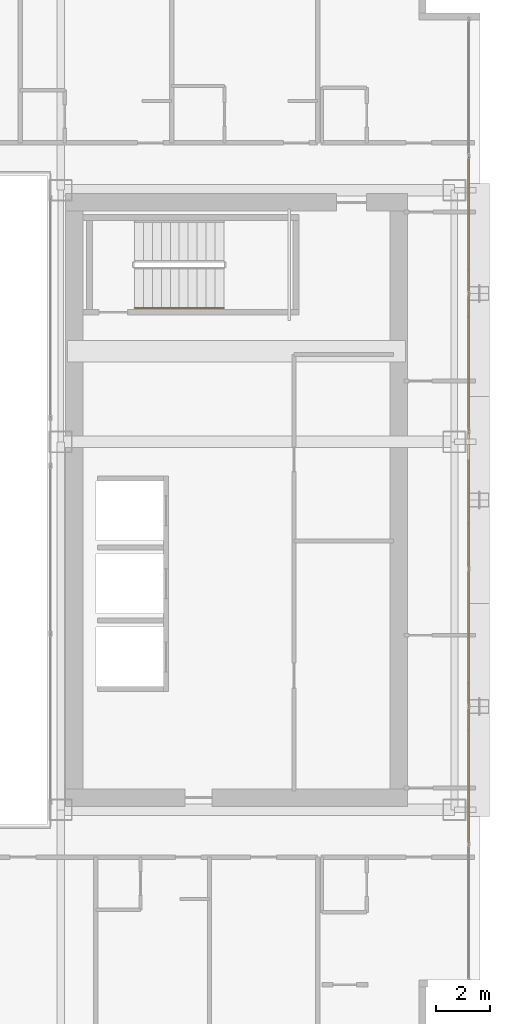
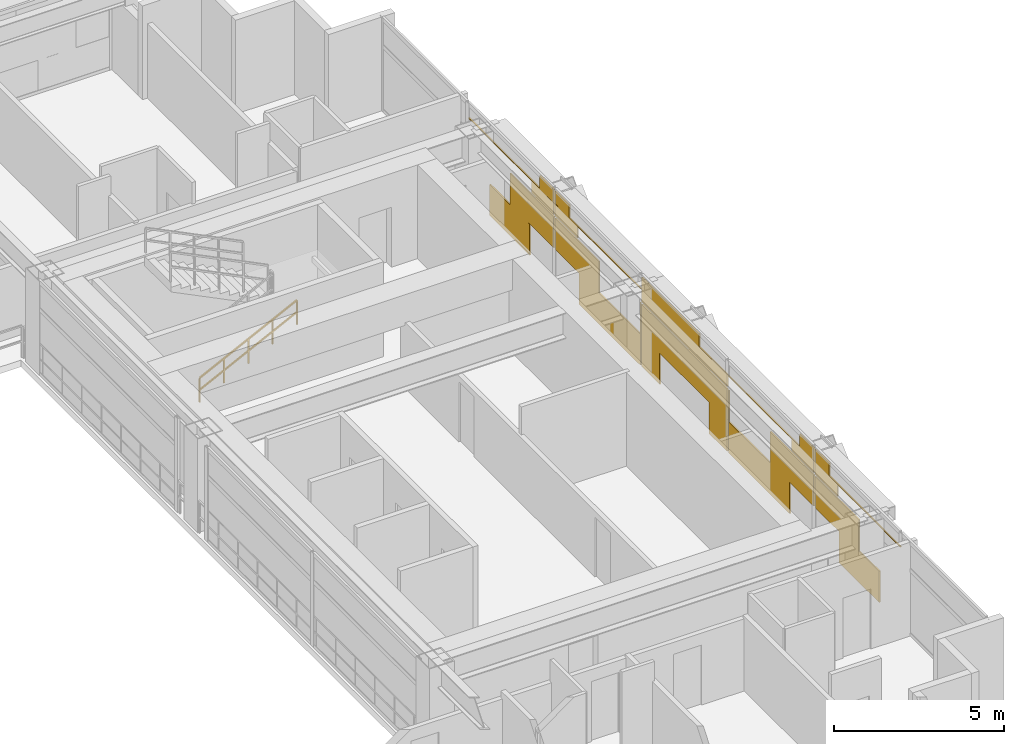
# One storey, part 38 of 39: 1 covering, 1 railing.
"""IFC4 building model written with IfcOpenShell, lengths in metres."""

from ifc_helpers import new_model, si_unit, direction, frame, origin, origin_2d, place, context, subcontext, project, spatial, rectangle, extrude, material, layer, layer_set, type_object, element, save


model = new_model("IFC4")

# Units and contexts
model_context = context("Model", 3, precision=1e-05, world=origin(), true_north=direction((0.0, 1.0)))
body_context = subcontext(model_context, "Body", "Model", "MODEL_VIEW")
ifc_project = project(units=[si_unit("LENGTHUNIT", "METRE"), si_unit("AREAUNIT", "SQUARE_METRE"), si_unit("VOLUMEUNIT", "CUBIC_METRE"), si_unit("PLANEANGLEUNIT", "RADIAN"), si_unit("MASSUNIT", "GRAM", prefix="KILO")], contexts=[model_context])

# Site, building, storey
site_placement = place(None, origin())
site = spatial("IfcSite", under=ifc_project, at=site_placement, CompositionType="ELEMENT")
building_placement = place(site_placement, origin())
building = spatial("IfcBuilding", under=site, at=building_placement, Name="Ocotamira Hotel", CompositionType="ELEMENT")
storey_placement = place(building_placement, frame((0.0, 0.0, 126.0)))
storey = spatial("IfcBuildingStorey", under=building, at=storey_placement, Name="L31", CompositionType="ELEMENT", Elevation=126.0)

# Covering
ifc_material_1 = material(Name="Insulated pale-metal aluminium spandrel panel", Category="aluminium")
ifc_layer = layer(ifc_material_1, 0.044921875)
ifc_layer_set = layer_set([ifc_layer], Name="Insulated pale-metal aluminium spandrel panel")
covering_type = type_object("IfcCoveringType", Name="COV-INFILL-45", PredefinedType="CLADDING", material=ifc_layer_set)
covering_placement = place(storey_placement, origin())
element("IfcCovering", 1, at=covering_placement, inside=storey, type_object=covering_type, Name="L31 Curtain Wall Infill CW-3 CW-L31-E", PredefinedType="CLADDING", context=body_context, shape_type="SweptSolid", body=[
    extrude(rectangle(XDim=2.35107421875, YDim=0.044921875, at=origin_2d()), frame((55.580078125, 15.741943359375, 0.07568359375), z_axis=(0.0, 0.0, 1.0), x_axis=(0.0, 1.0, 0.0)), (0.0, 0.0, 1.0), 1.11767578125),
    extrude(rectangle(XDim=2.578369140625, YDim=0.044921875, at=origin_2d()), frame((55.580078125, 17.041748046875, 1.1943359375), z_axis=(0.0, 0.0, 1.0), x_axis=(0.0, 1.0, 0.0)), (0.0, 0.0, 1.0), 1.117919921875),
    extrude(rectangle(XDim=5.004638671875, YDim=0.044921875, at=origin_2d()), frame((55.580078125, 15.82861328125, 2.802490234375), z_axis=(0.0, 0.0, 1.0), x_axis=(0.0, 1.0, 0.0)), (0.0, 0.0, 1.0), 0.033203125),
    extrude(rectangle(XDim=1.312744140625, YDim=0.044921875, at=origin_2d()), frame((55.580078125, 17.674560546875, 2.38818359375), z_axis=(0.0, 0.0, 1.0), x_axis=(0.0, 1.0, 0.0)), (0.0, 0.0, 1.0), 0.413330078125),
    extrude(rectangle(XDim=0.837158203125, YDim=0.044921875, at=origin_2d()), frame((55.580078125, 17.912353515625, 2.836669921875), z_axis=(0.0, 0.0, 1.0), x_axis=(0.0, 1.0, 0.0)), (0.0, 0.0, 1.0), 0.44775390625),
    extrude(rectangle(XDim=2.568603515625, YDim=0.044921875, at=origin_2d()), frame((55.580078125, 19.6962890625, 1.1943359375), z_axis=(0.0, 0.0, 1.0), x_axis=(0.0, 1.0, 0.0)), (0.0, 0.0, 1.0), 1.117919921875),
    extrude(rectangle(XDim=3.600830078125, YDim=0.044921875, at=origin_2d()), frame((55.580078125, 21.6162109375, 0.07568359375), z_axis=(0.0, 0.0, 1.0), x_axis=(0.0, 1.0, 0.0)), (0.0, 0.0, 1.0), 1.11767578125),
    extrude(rectangle(XDim=0.03076171875, YDim=0.044921875, at=origin_2d()), frame((55.580078125, 23.4013671875, 1.1943359375), z_axis=(0.0, 0.0, 1.0), x_axis=(0.0, 1.0, 0.0)), (0.0, 0.0, 1.0), 1.117919921875),
    extrude(rectangle(XDim=1.302978515625, YDim=0.044921875, at=origin_2d()), frame((55.580078125, 19.0634765625, 2.38818359375), z_axis=(0.0, 0.0, 1.0), x_axis=(0.0, 1.0, 0.0)), (0.0, 0.0, 1.0), 0.413330078125),
    extrude(rectangle(XDim=5.004638671875, YDim=0.044921875, at=origin_2d()), frame((55.580078125, 20.914306640625, 2.802490234375), z_axis=(0.0, 0.0, 1.0), x_axis=(0.0, 1.0, 0.0)), (0.0, 0.0, 1.0), 0.033203125),
    extrude(rectangle(XDim=0.827392578125, YDim=0.044921875, at=origin_2d()), frame((55.580078125, 18.82568359375, 2.836669921875), z_axis=(0.0, 0.0, 1.0), x_axis=(0.0, 1.0, 0.0)), (0.0, 0.0, 1.0), 0.44775390625),
    extrude(rectangle(XDim=1.05322265625, YDim=0.044921875, at=origin_2d()), frame((55.580078125, 24.0244140625, 0.07568359375), z_axis=(0.0, 0.0, 1.0), x_axis=(0.0, 1.0, 0.0)), (0.0, 0.0, 1.0), 1.11767578125),
    extrude(rectangle(XDim=5.004638671875, YDim=0.044921875, at=origin_2d()), frame((55.580078125, 26.0, 1.1943359375), z_axis=(0.0, 0.0, 1.0), x_axis=(0.0, 1.0, 0.0)), (0.0, 0.0, 1.0), 1.117919921875),
    extrude(rectangle(XDim=1.05322265625, YDim=0.044921875, at=origin_2d()), frame((55.580078125, 27.9755859375, 0.07568359375), z_axis=(0.0, 0.0, 1.0), x_axis=(0.0, 1.0, 0.0)), (0.0, 0.0, 1.0), 1.11767578125),
    extrude(rectangle(XDim=5.004638671875, YDim=0.044921875, at=origin_2d()), frame((55.580078125, 26.0, 2.387939453125), z_axis=(0.0, 0.0, 1.0), x_axis=(0.0, 1.0, 0.0)), (0.0, 0.0, 1.0), 0.44775390625),
    extrude(rectangle(XDim=3.375, YDim=0.044921875, at=origin_2d()), frame((55.580078125, 26.814697265625, 2.836669921875), z_axis=(0.0, 0.0, 1.0), x_axis=(0.0, 1.0, 0.0)), (0.0, 0.0, 1.0), 0.44775390625),
    extrude(rectangle(XDim=3.600830078125, YDim=0.044921875, at=origin_2d()), frame((55.580078125, 30.3837890625, 0.07568359375), z_axis=(0.0, 0.0, 1.0), x_axis=(0.0, 1.0, 0.0)), (0.0, 0.0, 1.0), 1.11767578125),
    extrude(rectangle(XDim=0.03076171875, YDim=0.044921875, at=origin_2d()), frame((55.580078125, 28.5986328125, 1.1943359375), z_axis=(0.0, 0.0, 1.0), x_axis=(0.0, 1.0, 0.0)), (0.0, 0.0, 1.0), 1.117919921875),
    extrude(rectangle(XDim=2.568603515625, YDim=0.044921875, at=origin_2d()), frame((55.580078125, 32.3037109375, 1.1943359375), z_axis=(0.0, 0.0, 1.0), x_axis=(0.0, 1.0, 0.0)), (0.0, 0.0, 1.0), 1.117919921875),
    extrude(rectangle(XDim=5.004638671875, YDim=0.044921875, at=origin_2d()), frame((55.580078125, 31.085693359375, 2.802490234375), z_axis=(0.0, 0.0, 1.0), x_axis=(0.0, 1.0, 0.0)), (0.0, 0.0, 1.0), 0.033203125),
    extrude(rectangle(XDim=1.302978515625, YDim=0.044921875, at=origin_2d()), frame((55.580078125, 32.9365234375, 2.38818359375), z_axis=(0.0, 0.0, 1.0), x_axis=(0.0, 1.0, 0.0)), (0.0, 0.0, 1.0), 0.413330078125),
    extrude(rectangle(XDim=0.827392578125, YDim=0.044921875, at=origin_2d()), frame((55.580078125, 33.17431640625, 2.836669921875), z_axis=(0.0, 0.0, 1.0), x_axis=(0.0, 1.0, 0.0)), (0.0, 0.0, 1.0), 0.44775390625),
    extrude(rectangle(XDim=2.578369140625, YDim=0.044921875, at=origin_2d()), frame((55.580078125, 34.958251953125, 1.1943359375), z_axis=(0.0, 0.0, 1.0), x_axis=(0.0, 1.0, 0.0)), (0.0, 0.0, 1.0), 1.117919921875),
    extrude(rectangle(XDim=2.35107421875, YDim=0.044921875, at=origin_2d()), frame((55.580078125, 36.258056640625, 0.07568359375), z_axis=(0.0, 0.0, 1.0), x_axis=(0.0, 1.0, 0.0)), (0.0, 0.0, 1.0), 1.11767578125),
    extrude(rectangle(XDim=1.312744140625, YDim=0.044921875, at=origin_2d()), frame((55.580078125, 34.325439453125, 2.38818359375), z_axis=(0.0, 0.0, 1.0), x_axis=(0.0, 1.0, 0.0)), (0.0, 0.0, 1.0), 0.413330078125),
    extrude(rectangle(XDim=5.004638671875, YDim=0.044921875, at=origin_2d()), frame((55.580078125, 36.17138671875, 2.802490234375), z_axis=(0.0, 0.0, 1.0), x_axis=(0.0, 1.0, 0.0)), (0.0, 0.0, 1.0), 0.033203125),
    extrude(rectangle(XDim=0.837158203125, YDim=0.044921875, at=origin_2d()), frame((55.580078125, 34.087646484375, 2.836669921875), z_axis=(0.0, 0.0, 1.0), x_axis=(0.0, 1.0, 0.0)), (0.0, 0.0, 1.0), 0.44775390625),
])

# Railing
ifc_material_2 = material(Name="Brushed stainless steel handrail", Category="steel")
railing_type = type_object("IfcRailingType", Name="RL-HAND-900", PredefinedType="HANDRAIL", material=ifc_material_2)
railing_placement = place(storey_placement, frame((43.22998046875, 33.10009765625, 0.327392578125)))
element("IfcRailing", 2, at=railing_placement, inside=storey, type_object=railing_type, Name="L31 ST-4 stair handrail 1", PredefinedType="HANDRAIL", context=body_context, shape_type="SweptSolid", body=[
    extrude(rectangle(XDim=0.048095703125, YDim=0.048095703125, at=origin_2d()), frame((0.0, 0.0, 0.8759765625), z_axis=(0.895920123917, 0.0, 0.444215186098), x_axis=(0.0, 1.0, 0.0)), (0.0, 0.0, 1.0), 3.683349609375),
    extrude(rectangle(XDim=0.048095703125, YDim=0.048095703125, at=origin_2d()), frame((0.0, 0.0, 0.449951171875), z_axis=(0.895920123917, 0.0, 0.444215186098), x_axis=(0.0, 1.0, 0.0)), (0.0, 0.0, 1.0), 3.683349609375),
    extrude(rectangle(XDim=0.0419921875, YDim=0.0419921875, at=origin_2d()), origin(), (0.0, 0.0, 1.0), 0.851806640625),
    extrude(rectangle(XDim=0.0419921875, YDim=0.0419921875, at=origin_2d()), frame((0.824951171875, 0.0, 0.4091796875)), (0.0, 0.0, 1.0), 0.851806640625),
    extrude(rectangle(XDim=0.0419921875, YDim=0.0419921875, at=origin_2d()), frame((1.64990234375, 0.0, 0.818115234375)), (0.0, 0.0, 1.0), 0.851806640625),
    extrude(rectangle(XDim=0.0419921875, YDim=0.0419921875, at=origin_2d()), frame((2.47509765625, 0.0, 1.22705078125)), (0.0, 0.0, 1.0), 0.851806640625),
    extrude(rectangle(XDim=0.0419921875, YDim=0.0419921875, at=origin_2d()), frame((3.300048828125, 0.0, 1.63623046875)), (0.0, 0.0, 1.0), 0.851806640625),
])

save(model, "model.ifc")
